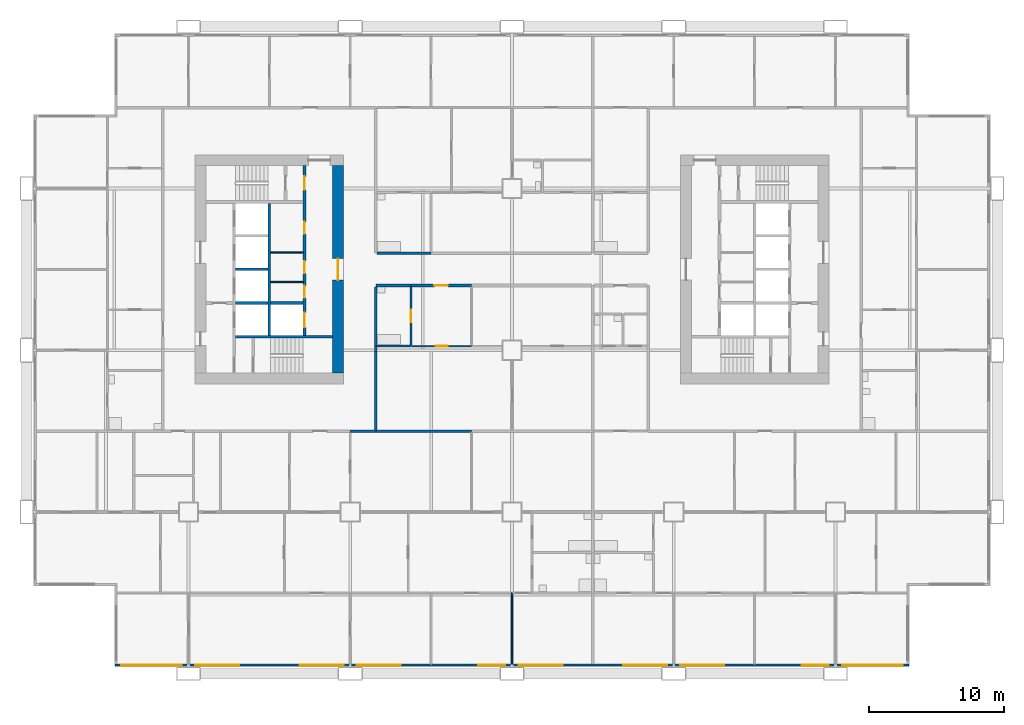
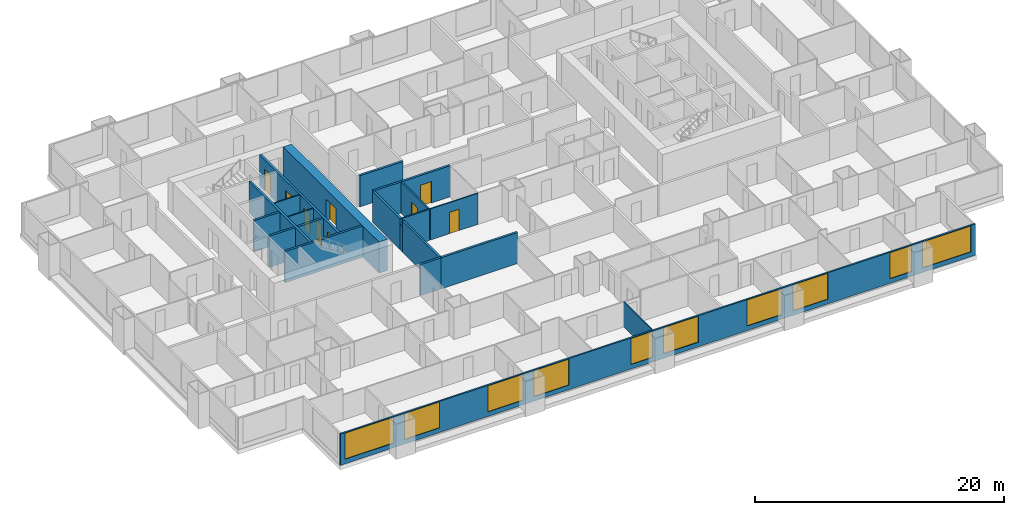
# One storey, part 4 of 13: 22 walls, 10 windows, 9 doors, 19 openings.
"""IFC4 building model written with IfcOpenShell, lengths in metres."""

import ifcopenshell
import ifcopenshell.guid

model = None  # the IFC model being written
_history = None  # IfcOwnerHistory: only IFC2X3 demands one
_inside = {}  # id of a spatial element -> (the spatial element, [elements in it])
_under = {}  # id of a project, library or spatial element -> (it, [spatial elements below it])
_declared = {}  # id of a project -> (the project, [libraries it declares])
_typed = {}  # id of a type object -> (the type object, [elements of that type])
_made_of = {}  # id of a material, layer set ... -> (it, [elements and type objects made of it])


def new_model(schema):
    """Start an empty IFC model of exactly this schema.

    Asked for "IFC4X3", IfcOpenShell would pick the latest addendum, in which some entities
    have other attributes; the version numbers below select the first issue.
    IFC2X3 requires an IfcOwnerHistory on every rooted entity: one is made here for all.
    """
    global model, _history
    if schema == "IFC4X3":
        model = ifcopenshell.file(schema_version=(4, 3, 0, 0))
    else:
        model = ifcopenshell.file(schema=schema)
    _inside.clear()
    _under.clear()
    _declared.clear()
    _typed.clear()
    _made_of.clear()
    _history = None
    if model.schema == "IFC2X3":
        org = make("IfcOrganization", Name="unknown")
        user = make(
            "IfcPersonAndOrganization",
            ThePerson=make("IfcPerson", FamilyName="unknown"),
            TheOrganization=org,
        )
        app = make(
            "IfcApplication",
            ApplicationDeveloper=org,
            Version="unknown",
            ApplicationFullName="unknown",
            ApplicationIdentifier="unknown",
        )
        _history = make(
            "IfcOwnerHistory",
            OwningUser=user,
            OwningApplication=app,
            ChangeAction="ADDED",
            CreationDate=0,
        )
    return model


def make(cls, **values):
    """One entity of the class cls with the attributes given. An attribute that is None is left unset."""
    return model.create_entity(
        cls, **{name: value for name, value in values.items() if value is not None}
    )


def rooted(cls, **values):
    """An entity with a GlobalId (a new one), such as an element, a storey or a relation."""
    return make(cls, GlobalId=ifcopenshell.guid.new(), OwnerHistory=_history, **values)


def si_unit(unit_type, name, prefix=None):
    """IfcSIUnit, for example si_unit("LENGTHUNIT", "METRE", prefix="MILLI")."""
    return make("IfcSIUnit", UnitType=unit_type, Prefix=prefix, Name=name)


def assignment(units):
    """IfcUnitAssignment: the units of a project."""
    return None if units is None else make("IfcUnitAssignment", Units=units)


def point(xyz):
    """IfcCartesianPoint."""
    return None if xyz is None else make("IfcCartesianPoint", Coordinates=xyz)


def direction(xyz):
    """IfcDirection."""
    return None if xyz is None else make("IfcDirection", DirectionRatios=xyz)


def frame(location, z_axis=None, x_axis=None):
    """IfcAxis2Placement3D, a coordinate frame: its origin and axes. An axis left out is left unset."""
    return make(
        "IfcAxis2Placement3D",
        Location=point(location),
        Axis=direction(z_axis),
        RefDirection=direction(x_axis),
    )


def frame_2d(location, x_axis=None):
    """IfcAxis2Placement2D, a coordinate frame in the plane: its origin and x axis."""
    return make(
        "IfcAxis2Placement2D", Location=point(location), RefDirection=direction(x_axis)
    )


def origin():
    """The frame at (0, 0, 0) with its axes left unset."""
    return frame((0.0, 0.0, 0.0))


def place(relative_to, where):
    """IfcLocalPlacement: puts the frame where relative to a parent placement (None: the world)."""
    return make(
        "IfcLocalPlacement", PlacementRelTo=relative_to, RelativePlacement=where
    )


def context(
    kind, dimensions, precision=None, world=None, true_north=None, identifier=None
):
    """IfcGeometricRepresentationContext, for example the 3D "Model" context."""
    return make(
        "IfcGeometricRepresentationContext",
        ContextIdentifier=identifier,
        ContextType=kind,
        CoordinateSpaceDimension=dimensions,
        Precision=precision,
        WorldCoordinateSystem=world,
        TrueNorth=true_north,
    )


def subcontext(parent, identifier, kind, view, scale=None):
    """IfcGeometricRepresentationSubContext, for example "Body" below "Model"."""
    return make(
        "IfcGeometricRepresentationSubContext",
        ContextIdentifier=identifier,
        ContextType=kind,
        ParentContext=parent,
        TargetScale=scale,
        TargetView=view,
    )


def project(units=None, contexts=None):
    """IfcProject with its units and contexts."""
    return rooted(
        "IfcProject",
        Name="project",
        RepresentationContexts=contexts,
        UnitsInContext=assignment(units),
    )


def spatial(cls, under=None, at=None, **own):
    """A site, building, storey or space (cls), placed at a placement, below another one or the project."""
    s = rooted(cls, ObjectPlacement=at, **own)
    if under is not None:
        _under.setdefault(under.id(), (under, []))[1].append(s)
    return s


def profile(cls, at=None, kind="AREA", **sizes):
    """A parametric profile (cls). Its sizes go by their IFC names, for example OverallWidth=200.0."""
    return make(cls, ProfileType=kind, Position=at, **sizes)


def rectangle(**sizes):
    """IfcRectangleProfileDef."""
    return profile("IfcRectangleProfileDef", **sizes)


def extrude(swept, where, along, depth):
    """IfcExtrudedAreaSolid: the profile swept, set in the frame where, extruded along a direction by depth."""
    return make(
        "IfcExtrudedAreaSolid",
        SweptArea=swept,
        Position=where,
        ExtrudedDirection=direction(along),
        Depth=depth,
    )


def shape(context_of_items, identifier, shape_type, items):
    """IfcShapeRepresentation: the items that make up one representation, for example the "Body"."""
    return make(
        "IfcShapeRepresentation",
        ContextOfItems=context_of_items,
        RepresentationIdentifier=identifier,
        RepresentationType=shape_type,
        Items=items,
    )


def material(Name=None, Category=None):
    """IfcMaterial."""
    return make("IfcMaterial", Name=Name, Category=Category)


def layer(
    of_material, thickness, ventilated=None, Name=None, Category=None, Priority=None
):
    """IfcMaterialLayer: one layer of a wall or slab, of a material (None: an air gap)."""
    return make(
        "IfcMaterialLayer",
        Material=of_material,
        LayerThickness=thickness,
        IsVentilated=ventilated,
        Name=Name,
        Category=Category,
        Priority=Priority,
    )


def layer_set(layers, Name=None):
    """IfcMaterialLayerSet."""
    return make("IfcMaterialLayerSet", MaterialLayers=layers, LayerSetName=Name)


def made_of(thing, what):
    """Note that an element or type object is made of a material, layer set ...; save() writes the relation."""
    if what is not None:
        _made_of.setdefault(what.id(), (what, []))[1].append(thing)
    return thing


def type_object(cls, material=None, **own):
    """A type object (cls), such as IfcWallType, which elements share."""
    return made_of(rooted(cls, **own), material)


def element(
    cls,
    number,
    at=None,
    inside=None,
    cuts=None,
    type_object=None,
    material=None,
    context=None,
    identifier="Body",
    shape_type=None,
    held_by="IfcProductDefinitionShape",
    body=None,
    shapes=None,
    **own,
):
    """One element of the class cls, such as IfcWall. Its Tag is "e" and its number.

    at: its placement. inside: the storey or other place that contains it. cuts: it is an
    opening in that element (IfcRelVoidsElement). A single representation is given by context,
    identifier, shape_type and body (its items); several are given by shapes. held_by: the class
    of the entity that holds the representations. save() writes the other relations.
    """
    e = rooted(cls, Tag="e%d" % number, ObjectPlacement=at, **own)
    if body is not None:
        shapes = [shape(context, identifier, shape_type, body)]
    if shapes is not None:
        e.Representation = make(held_by, Representations=shapes)
    if inside is not None:
        _inside.setdefault(inside.id(), (inside, []))[1].append(e)
    if cuts is not None:
        rooted(
            "IfcRelVoidsElement", RelatingBuildingElement=cuts, RelatedOpeningElement=e
        )
    if type_object is not None:
        _typed.setdefault(type_object.id(), (type_object, []))[1].append(e)
    return made_of(e, material)


def fill(opening, filler):
    """IfcRelFillsElement: the door or window that sits in an opening."""
    return rooted(
        "IfcRelFillsElement",
        RelatingOpeningElement=opening,
        RelatedBuildingElement=filler,
    )


def aggregate(whole, parts):
    """IfcRelAggregates: a whole, such as a stair, and the parts it consists of."""
    return rooted("IfcRelAggregates", RelatingObject=whole, RelatedObjects=parts)


def save(model, path):
    """Write the relations noted so far, then the file.

    IfcRelAggregates (storeys below a building ...), IfcRelContainedInSpatialStructure (elements
    in a storey), IfcRelDefinesByType, IfcRelAssociatesMaterial and IfcRelDeclares: one each for
    every whole, place, type object, material and project.
    """
    for whole, parts in _under.values():
        aggregate(whole, parts)
    for where, things in _inside.values():
        rooted(
            "IfcRelContainedInSpatialStructure",
            RelatedElements=things,
            RelatingStructure=where,
        )
    for kind, things in _typed.values():
        rooted("IfcRelDefinesByType", RelatedObjects=things, RelatingType=kind)
    for what, things in _made_of.values():
        rooted("IfcRelAssociatesMaterial", RelatedObjects=things, RelatingMaterial=what)
    for by, libraries in _declared.values():
        rooted("IfcRelDeclares", RelatingContext=by, RelatedDefinitions=libraries)
    model.write(path)


model = new_model("IFC4")

# Units and contexts
model_context = context("Model", 3, precision=1e-05, world=origin(), true_north=direction((0.0, 1.0)))
body_context = subcontext(model_context, "Body", "Model", "MODEL_VIEW")
ifc_project = project(units=[si_unit("LENGTHUNIT", "METRE"), si_unit("AREAUNIT", "SQUARE_METRE"), si_unit("VOLUMEUNIT", "CUBIC_METRE"), si_unit("PLANEANGLEUNIT", "RADIAN"), si_unit("MASSUNIT", "GRAM", prefix="KILO")], contexts=[model_context])

# Site, building, storey
site_placement = place(None, origin())
site = spatial("IfcSite", under=ifc_project, at=site_placement, CompositionType="ELEMENT")
building_placement = place(site_placement, origin())
building = spatial("IfcBuilding", under=site, at=building_placement, Name="Kitamizu Gate Tower and Museum", CompositionType="ELEMENT")
storey_placement = place(building_placement, frame((0.0, 0.0, 57.60009765625)))
storey = spatial("IfcBuildingStorey", under=building, at=storey_placement, Name="L13", CompositionType="ELEMENT", Elevation=57.60009765625)

# Wall, opening, door
ifc_material_1 = material(Name="Concrete Fc60", Category="concrete")
ifc_layer_1 = layer(ifc_material_1, 0.800048828125)
ifc_layer_set_1 = layer_set([ifc_layer_1], Name="Concrete Fc60")
wall_type_1 = type_object("IfcWallType", Name="Core wall 800", PredefinedType="SHEAR", material=ifc_layer_set_1)
wall_1_placement = place(storey_placement, frame((23.10009765625, 22.300048828125, 0.0), z_axis=(0.0, 0.0, 1.0), x_axis=(0.0, 1.0, 0.0)))
wall_1 = element("IfcWall", 1, at=wall_1_placement, inside=storey, type_object=wall_type_1, Name="Core wall WARC", PredefinedType="SHEAR", context=body_context, shape_type="SweptSolid", body=[
    extrude(rectangle(XDim=15.39990234375, YDim=0.800048828125, at=frame_2d((7.699951171875, 0.0))), origin(), (0.0, 0.0, 1.0), 3.0498046875),
])
opening_1_placement = place(wall_1_placement, frame((6.89990234375, 0.0, 0.0)))
opening_1 = element("IfcOpeningElement", 2, at=opening_1_placement, cuts=wall_1, Name="Opening L13-084", PredefinedType="OPENING", context=body_context, shape_type="SweptSolid", body=[
    extrude(rectangle(XDim=1.60009765625, YDim=2.10009765625, at=frame_2d((0.800048828125, 1.050048828125))), frame((0.0, 0.41015625, 0.0), z_axis=(0.0, -1.0, 0.0), x_axis=(1.0, 0.0, 0.0)), (0.0, 0.0, 1.0), 0.820068359375),
])
ifc_material_2 = material(Name="Timber door set", Category="wood")
door_type_1 = type_object("IfcDoorType", Name="Entrance door 1600", OperationType="DOUBLE_DOOR_SINGLE_SWING", PredefinedType="DOOR", material=ifc_material_2)
door_1_placement = place(opening_1_placement, origin())
door_1 = element("IfcDoor", 3, at=door_1_placement, inside=storey, type_object=door_type_1, Name="Lobby door L13-084", OperationType="DOUBLE_DOOR_SINGLE_SWING", OverallHeight=2.10009765625, OverallWidth=1.60009765625, PredefinedType="DOOR", context=body_context, shape_type="SweptSolid", body=[
    extrude(rectangle(XDim=1.60009765625, YDim=2.10009765625, at=frame_2d((0.800048828125, 1.050048828125))), frame((0.0, 0.02490234375, 0.0), z_axis=(0.0, -1.0, 0.0), x_axis=(1.0, 0.0, 0.0)), (0.0, 0.0, 1.0), 0.050048828125),
])
fill(opening_1, door_1)

# Walls
ifc_material_3 = material(Name="Gypsum board on galvanised stud")
ifc_layer_2 = layer(ifc_material_3, 0.10009765625)
ifc_layer_set_2 = layer_set([ifc_layer_2], Name="Gypsum board on galvanised stud")
wall_type_2 = type_object("IfcWallType", Name="Partition 100", PredefinedType="PARTITIONING", material=ifc_layer_set_2)
for number, where, z_axis, x_axis, name in (
    (4, (18.10009765625, 29.06005859375, 0.0), (0.0, 0.0, 1.0), (1.0, 0.0, 0.0), "Partition WPF1"),
    (5, (18.10009765625, 31.25, 0.0), (0.0, 0.0, 1.0), (1.0, 0.0, 0.0), "Partition WPF2"),
):
    element("IfcWall", number, at=place(storey_placement, frame(where, z_axis=z_axis, x_axis=x_axis)), inside=storey, type_object=wall_type_2, Name=name, PredefinedType="PARTITIONING", context=body_context, shape_type="SweptSolid", body=[
        extrude(rectangle(XDim=2.39990234375, YDim=0.10009765625, at=frame_2d((1.199951171875, 0.0))), origin(), (0.0, 0.0, 1.0), 3.0498046875),
    ])
ifc_material_4 = material(Name="Gypsum board on galvanised stud")
ifc_layer_3 = layer(ifc_material_4, 0.10009765625)
ifc_layer_set_3 = layer_set([ifc_layer_3], Name="Gypsum board on galvanised stud")
wall_type_3 = type_object("IfcWallType", Name="Partition 100 NOT RATED", PredefinedType="PARTITIONING", material=ifc_layer_set_3)
wall_2_placement = place(storey_placement, frame((36.0, 0.719970703125, 0.0), z_axis=(0.0, 0.0, 1.0), x_axis=(0.0, 1.0, 0.0)))
element("IfcWall", 6, at=wall_2_placement, inside=storey, type_object=wall_type_3, Name="Partition L13-010", PredefinedType="PARTITIONING", context=body_context, shape_type="SweptSolid", body=[
    extrude(rectangle(XDim=5.280029296875, YDim=0.10009765625, at=frame_2d((2.64013671875, 0.0))), origin(), (0.0, 0.0, 1.0), 2.449951171875),
])

# Wall, opening, door
wall_3_placement = place(storey_placement, frame((33.0, 24.300048828125, 0.0), z_axis=(0.0, 0.0, 1.0), x_axis=(-1.0, 0.0, 0.0)))
wall_3 = element("IfcWall", 7, at=wall_3_placement, inside=storey, type_object=wall_type_3, Name="Partition L13-061", PredefinedType="PARTITIONING", context=body_context, shape_type="SweptSolid", body=[
    extrude(rectangle(XDim=4.425048828125, YDim=0.10009765625, at=frame_2d((2.21240234375, 0.0))), origin(), (0.0, 0.0, 1.0), 3.0498046875),
])
opening_2_placement = place(wall_3_placement, frame((1.762451171875, 0.0, 0.0)))
opening_2 = element("IfcOpeningElement", 8, at=opening_2_placement, cuts=wall_3, Name="Opening L13-022", PredefinedType="OPENING", context=body_context, shape_type="SweptSolid", body=[
    extrude(rectangle(XDim=0.89990234375, YDim=2.10009765625, at=frame_2d((0.449951171875, 1.050048828125))), frame((0.0, 0.06005859375, 0.0), z_axis=(0.0, -1.0, 0.0), x_axis=(1.0, 0.0, 0.0)), (0.0, 0.0, 1.0), 0.1201171875),
])
ifc_material_5 = material(Name="Timber door set", Category="wood")
door_type_2 = type_object("IfcDoorType", Name="Room door 900", OperationType="NOTDEFINED", PredefinedType="DOOR", material=ifc_material_5)
door_2_placement = place(opening_2_placement, origin())
door_2 = element("IfcDoor", 9, at=door_2_placement, inside=storey, type_object=door_type_2, Name="Door L13-022", OperationType="SINGLE_SWING_LEFT", OverallHeight=2.10009765625, OverallWidth=0.89990234375, PredefinedType="DOOR", context=body_context, shape_type="SweptSolid", body=[
    extrude(rectangle(XDim=0.89990234375, YDim=2.10009765625, at=frame_2d((0.449951171875, 1.050048828125))), frame((0.0, 0.02490234375, 0.0), z_axis=(0.0, -1.0, 0.0), x_axis=(1.0, 0.0, 0.0)), (0.0, 0.0, 1.0), 0.050048828125),
])
fill(opening_2, door_2)

# Wall
ifc_material_6 = material(Name="Gypsum board on galvanised stud")
ifc_layer_4 = layer(ifc_material_6, 0.14990234375)
ifc_layer_set_4 = layer_set([ifc_layer_4], Name="Gypsum board on galvanised stud")
wall_type_4 = type_object("IfcWallType", Name="Partition 150", PredefinedType="PARTITIONING", material=ifc_layer_set_4)
wall_4_placement = place(storey_placement, frame((28.5, 24.300048828125, 0.0), z_axis=(0.0, 0.0, 1.0), x_axis=(-1.0, 0.0, 0.0)))
element("IfcWall", 10, at=wall_4_placement, inside=storey, type_object=wall_type_4, Name="Partition L13-060", PredefinedType="PARTITIONING", context=body_context, shape_type="SweptSolid", body=[
    extrude(rectangle(XDim=2.5, YDim=0.14990234375, at=frame_2d((1.25, 0.0))), origin(), (0.0, 0.0, 1.0), 3.0498046875),
])

# Wall, opening, door
wall_5_placement = place(storey_placement, frame((28.5, 24.375, 0.0), z_axis=(0.0, 0.0, 1.0), x_axis=(0.0, 1.0, 0.0)))
wall_5 = element("IfcWall", 11, at=wall_5_placement, inside=storey, type_object=wall_type_4, Name="Partition L13-067", PredefinedType="PARTITIONING", context=body_context, shape_type="SweptSolid", body=[
    extrude(rectangle(XDim=4.324951171875, YDim=0.14990234375, at=frame_2d((2.16259765625, 0.0))), origin(), (0.0, 0.0, 1.0), 3.0498046875),
])
opening_3_placement = place(wall_5_placement, frame((1.71240234375, 0.0, 0.0)))
opening_3 = element("IfcOpeningElement", 12, at=opening_3_placement, cuts=wall_5, Name="Opening L13-024", PredefinedType="OPENING", context=body_context, shape_type="SweptSolid", body=[
    extrude(rectangle(XDim=0.89990234375, YDim=2.10009765625, at=frame_2d((0.449951171875, 1.050048828125))), frame((0.0, 0.0849609375, 0.0), z_axis=(0.0, -1.0, 0.0), x_axis=(1.0, 0.0, 0.0)), (0.0, 0.0, 1.0), 0.169921875),
])
ifc_material_7 = material(Name="Timber door set", Category="wood")
door_type_3 = type_object("IfcDoorType", Name="Bathroom door 900", OperationType="NOTDEFINED", PredefinedType="DOOR", material=ifc_material_7)
door_3_placement = place(opening_3_placement, origin())
door_3 = element("IfcDoor", 13, at=door_3_placement, inside=storey, type_object=door_type_3, Name="Bathroom door L13-024", OperationType="SINGLE_SWING_LEFT", OverallHeight=2.10009765625, OverallWidth=0.89990234375, PredefinedType="DOOR", context=body_context, shape_type="SweptSolid", body=[
    extrude(rectangle(XDim=0.89990234375, YDim=2.10009765625, at=frame_2d((0.449951171875, 1.050048828125))), frame((0.0, 0.02490234375, 0.0), z_axis=(0.0, -1.0, 0.0), x_axis=(1.0, 0.0, 0.0)), (0.0, 0.0, 1.0), 0.050048828125),
])
fill(opening_3, door_3)

# Walls
ifc_material_8 = material(Name="Gypsum board on galvanised stud")
ifc_layer_5 = layer(ifc_material_8, 0.199951171875)
ifc_layer_set_5 = layer_set([ifc_layer_5], Name="Gypsum board on galvanised stud")
wall_type_5 = type_object("IfcWallType", Name="Partition 200", PredefinedType="PARTITIONING", material=ifc_layer_set_5)
wall_6_placement = place(storey_placement, frame((33.0, 18.0, 0.0), z_axis=(0.0, 0.0, 1.0), x_axis=(-1.0, 0.0, 0.0)))
element("IfcWall", 14, at=wall_6_placement, inside=storey, type_object=wall_type_5, Name="Partition L13-054", PredefinedType="PARTITIONING", context=body_context, shape_type="SweptSolid", body=[
    extrude(rectangle(XDim=7.10009765625, YDim=0.199951171875, at=frame_2d((3.550048828125, 0.0))), origin(), (0.0, 0.0, 1.0), 3.0498046875),
])
wall_7_placement = place(storey_placement, frame((25.89990234375, 18.0, 0.0), z_axis=(0.0, 0.0, 1.0), x_axis=(-1.0, 0.0, 0.0)))
element("IfcWall", 15, at=wall_7_placement, inside=storey, type_object=wall_type_5, Name="Partition L13-055", PredefinedType="PARTITIONING", context=body_context, shape_type="SweptSolid", body=[
    extrude(rectangle(XDim=1.89990234375, YDim=0.199951171875, at=frame_2d((0.949951171875, 0.0))), origin(), (0.0, 0.0, 1.0), 3.0498046875),
])
wall_8_placement = place(storey_placement, frame((25.89990234375, 24.300048828125, 0.0), z_axis=(0.0, 0.0, 1.0), x_axis=(0.0, -1.0, 0.0)))
element("IfcWall", 16, at=wall_8_placement, inside=storey, type_object=wall_type_5, Name="Partition L13-063", PredefinedType="PARTITIONING", context=body_context, shape_type="SweptSolid", body=[
    extrude(rectangle(XDim=0.400146484375, YDim=0.199951171875, at=frame_2d((0.2001953125, 0.0))), origin(), (0.0, 0.0, 1.0), 2.449951171875),
])
wall_9_placement = place(storey_placement, frame((25.89990234375, 23.89990234375, 0.0), z_axis=(0.0, 0.0, 1.0), x_axis=(0.0, -1.0, 0.0)))
element("IfcWall", 17, at=wall_9_placement, inside=storey, type_object=wall_type_5, Name="Partition L13-064", PredefinedType="PARTITIONING", context=body_context, shape_type="SweptSolid", body=[
    extrude(rectangle(XDim=5.7998046875, YDim=0.199951171875, at=frame_2d((2.89990234375, 0.0))), origin(), (0.0, 0.0, 1.0), 3.0498046875),
])
wall_10_placement = place(storey_placement, frame((28.5, 28.800048828125, 0.0), z_axis=(0.0, 0.0, 1.0), x_axis=(-1.0, 0.0, 0.0)))
element("IfcWall", 18, at=wall_10_placement, inside=storey, type_object=wall_type_5, Name="Partition L13-068", PredefinedType="PARTITIONING", context=body_context, shape_type="SweptSolid", body=[
    extrude(rectangle(XDim=2.60009765625, YDim=0.199951171875, at=frame_2d((1.300048828125, 0.0))), origin(), (0.0, 0.0, 1.0), 3.0498046875),
])
wall_11_placement = place(storey_placement, frame((25.89990234375, 28.699951171875, 0.0), z_axis=(0.0, 0.0, 1.0), x_axis=(0.0, -1.0, 0.0)))
element("IfcWall", 19, at=wall_11_placement, inside=storey, type_object=wall_type_5, Name="Partition L13-069", PredefinedType="PARTITIONING", context=body_context, shape_type="SweptSolid", body=[
    extrude(rectangle(XDim=4.39990234375, YDim=0.199951171875, at=frame_2d((2.199951171875, 0.0))), origin(), (0.0, 0.0, 1.0), 3.0498046875),
])

# Wall, opening, door
wall_12_placement = place(storey_placement, frame((33.0, 28.800048828125, 0.0), z_axis=(0.0, 0.0, 1.0), x_axis=(-1.0, 0.0, 0.0)))
wall_12 = element("IfcWall", 20, at=wall_12_placement, inside=storey, type_object=wall_type_5, Name="Partition L13-071", PredefinedType="PARTITIONING", context=body_context, shape_type="SweptSolid", body=[
    extrude(rectangle(XDim=4.5, YDim=0.199951171875, at=frame_2d((2.25, 0.0))), origin(), (0.0, 0.0, 1.0), 3.0498046875),
])
opening_4_placement = place(wall_12_placement, frame((1.75, 0.0, 0.0)))
opening_4 = element("IfcOpeningElement", 21, at=opening_4_placement, cuts=wall_12, Name="Opening L13-021", PredefinedType="OPENING", context=body_context, shape_type="SweptSolid", body=[
    extrude(rectangle(XDim=1.0, YDim=2.10009765625, at=frame_2d((0.5, 1.050048828125))), frame((0.0, 0.10986328125, 0.0), z_axis=(0.0, -1.0, 0.0), x_axis=(1.0, 0.0, 0.0)), (0.0, 0.0, 1.0), 0.219970703125),
])
ifc_material_9 = material(Name="Timber door set", Category="wood")
door_type_4 = type_object("IfcDoorType", Name="Flat entrance door 1000", OperationType="NOTDEFINED", PredefinedType="DOOR", material=ifc_material_9)
door_4_placement = place(opening_4_placement, origin())
door_4 = element("IfcDoor", 22, at=door_4_placement, inside=storey, type_object=door_type_4, Name="Flat entrance door L13-021", OperationType="SINGLE_SWING_RIGHT", OverallHeight=2.10009765625, OverallWidth=1.0, PredefinedType="DOOR", context=body_context, shape_type="SweptSolid", body=[
    extrude(rectangle(XDim=1.0, YDim=2.10009765625, at=frame_2d((0.5, 1.050048828125))), frame((0.0, 0.02490234375, 0.0), z_axis=(0.0, -1.0, 0.0), x_axis=(1.0, 0.0, 0.0)), (0.0, 0.0, 1.0), 0.050048828125),
])
fill(opening_4, door_4)

# Wall
wall_13_placement = place(storey_placement, frame((26.0, 31.199951171875, 0.0), z_axis=(0.0, 0.0, 1.0), x_axis=(1.0, 0.0, 0.0)))
element("IfcWall", 23, at=wall_13_placement, inside=storey, type_object=wall_type_5, Name="Partition L13-152", PredefinedType="PARTITIONING", context=body_context, shape_type="SweptSolid", body=[
    extrude(rectangle(XDim=4.0, YDim=0.199951171875, at=frame_2d((2.0, 0.0))), origin(), (0.0, 0.0, 1.0), 3.0498046875),
])

# Wall, openings, doors
ifc_material_10 = material(Name="Concrete Fc42", Category="concrete")
ifc_layer_6 = layer(ifc_material_10, 0.199951171875)
ifc_layer_set_6 = layer_set([ifc_layer_6], Name="Concrete Fc42")
wall_type_6 = type_object("IfcWallType", Name="Shaft wall 200", PredefinedType="SOLIDWALL", material=ifc_layer_set_6)
wall_14_placement = place(storey_placement, frame((20.60009765625, 25.10009765625, 0.0), z_axis=(0.0, 0.0, 1.0), x_axis=(0.0, 1.0, 0.0)))
wall_14 = element("IfcWall", 24, at=wall_14_placement, inside=storey, type_object=wall_type_6, Name="Shaft wall WEAST", PredefinedType="SOLIDWALL", context=body_context, shape_type="SweptSolid", body=[
    extrude(rectangle(XDim=12.599853515625, YDim=0.199951171875, at=frame_2d((6.2998046875, 0.0))), origin(), (0.0, 0.0, 1.0), 3.0498046875),
])
opening_5_placement = place(wall_14_placement, frame((0.60009765625, 0.0, 0.0)))
opening_5 = element("IfcOpeningElement", 25, at=opening_5_placement, cuts=wall_14, Name="Opening LD", PredefinedType="OPENING", context=body_context, shape_type="SweptSolid", body=[
    extrude(rectangle(XDim=1.10009765625, YDim=2.10009765625, at=frame_2d((0.550048828125, 1.050048828125))), frame((0.0, 0.10986328125, 0.0), z_axis=(0.0, -1.0, 0.0), x_axis=(1.0, 0.0, 0.0)), (0.0, 0.0, 1.0), 0.219970703125),
])
opening_6_placement = place(wall_14_placement, frame((10.800048828125, 0.0, 0.0)))
opening_6 = element("IfcOpeningElement", 26, at=opening_6_placement, cuts=wall_14, Name="Opening L13-078", PredefinedType="OPENING", context=body_context, shape_type="SweptSolid", body=[
    extrude(rectangle(XDim=1.0, YDim=2.10009765625, at=frame_2d((0.5, 1.050048828125))), frame((0.0, 0.10986328125, 0.0), z_axis=(0.0, -1.0, 0.0), x_axis=(1.0, 0.0, 0.0)), (0.0, 0.0, 1.0), 0.219970703125),
])
opening_7_placement = place(wall_14_placement, frame((2.780029296875, 0.0, 0.0)))
opening_7 = element("IfcOpeningElement", 27, at=opening_7_placement, cuts=wall_14, Name="Opening L13-085", PredefinedType="OPENING", context=body_context, shape_type="SweptSolid", body=[
    extrude(rectangle(XDim=0.89990234375, YDim=2.10009765625, at=frame_2d((0.449951171875, 1.050048828125))), frame((0.0, 0.10986328125, 0.0), z_axis=(0.0, -1.0, 0.0), x_axis=(1.0, 0.0, 0.0)), (0.0, 0.0, 1.0), 0.219970703125),
])
opening_8_placement = place(wall_14_placement, frame((4.60498046875, 0.0, 0.0)))
opening_8 = element("IfcOpeningElement", 28, at=opening_8_placement, cuts=wall_14, Name="Opening L13-086", PredefinedType="OPENING", context=body_context, shape_type="SweptSolid", body=[
    extrude(rectangle(XDim=0.89990234375, YDim=2.10009765625, at=frame_2d((0.449951171875, 1.050048828125))), frame((0.0, 0.10986328125, 0.0), z_axis=(0.0, -1.0, 0.0), x_axis=(1.0, 0.0, 0.0)), (0.0, 0.0, 1.0), 0.219970703125),
])
opening_9_placement = place(wall_14_placement, frame((7.52490234375, 0.0, 0.0)))
opening_9 = element("IfcOpeningElement", 29, at=opening_9_placement, cuts=wall_14, Name="Opening L13-087", PredefinedType="OPENING", context=body_context, shape_type="SweptSolid", body=[
    extrude(rectangle(XDim=0.89990234375, YDim=2.10009765625, at=frame_2d((0.449951171875, 1.050048828125))), frame((0.0, 0.10986328125, 0.0), z_axis=(0.0, -1.0, 0.0), x_axis=(1.0, 0.0, 0.0)), (0.0, 0.0, 1.0), 0.219970703125),
])
ifc_material_11 = material(Name="Hollow metal door set")
door_type_5 = type_object("IfcDoorType", Name="Fire door 1000", OperationType="NOTDEFINED", PredefinedType="DOOR", material=ifc_material_11)
door_5_placement = place(opening_6_placement, origin())
door_5 = element("IfcDoor", 30, at=door_5_placement, inside=storey, type_object=door_type_5, Name="Stair lobby door L13-078", OperationType="SINGLE_SWING_RIGHT", OverallHeight=2.10009765625, OverallWidth=1.0, PredefinedType="DOOR", context=body_context, shape_type="SweptSolid", body=[
    extrude(rectangle(XDim=1.0, YDim=2.10009765625, at=frame_2d((0.5, 1.050048828125))), frame((0.0, 0.02490234375, 0.0), z_axis=(0.0, -1.0, 0.0), x_axis=(1.0, 0.0, 0.0)), (0.0, 0.0, 1.0), 0.050048828125),
])
fill(opening_6, door_5)
ifc_material_12 = material(Name="Hollow metal door set")
door_type_6 = type_object("IfcDoorType", Name="Landing door 1100", OperationType="SLIDING_TO_LEFT", PredefinedType="DOOR", material=ifc_material_12)
door_6_placement = place(opening_5_placement, origin())
door_6 = element("IfcDoor", 31, at=door_6_placement, inside=storey, type_object=door_type_6, Name="Landing door WSV1", OperationType="SLIDING_TO_LEFT", OverallHeight=2.10009765625, OverallWidth=1.10009765625, PredefinedType="DOOR", context=body_context, shape_type="SweptSolid", body=[
    extrude(rectangle(XDim=1.10009765625, YDim=2.10009765625, at=frame_2d((0.550048828125, 1.050048828125))), frame((0.0, 0.02490234375, 0.0), z_axis=(0.0, -1.0, 0.0), x_axis=(1.0, 0.0, 0.0)), (0.0, 0.0, 1.0), 0.050048828125),
])
fill(opening_5, door_6)
ifc_material_13 = material(Name="Timber door set", Category="wood")
door_type_7 = type_object("IfcDoorType", Name="Service door 900", OperationType="NOTDEFINED", PredefinedType="DOOR", material=ifc_material_13)
door_7_placement = place(opening_7_placement, origin())
door_7 = element("IfcDoor", 32, at=door_7_placement, inside=storey, type_object=door_type_7, Name="Service door L13-085", OperationType="SINGLE_SWING_RIGHT", OverallHeight=2.10009765625, OverallWidth=0.89990234375, PredefinedType="DOOR", context=body_context, shape_type="SweptSolid", body=[
    extrude(rectangle(XDim=0.89990234375, YDim=2.10009765625, at=frame_2d((0.449951171875, 1.050048828125))), frame((0.0, 0.02490234375, 0.0), z_axis=(0.0, -1.0, 0.0), x_axis=(1.0, 0.0, 0.0)), (0.0, 0.0, 1.0), 0.050048828125),
])
fill(opening_7, door_7)
door_8_placement = place(opening_8_placement, origin())
door_8 = element("IfcDoor", 33, at=door_8_placement, inside=storey, type_object=door_type_7, Name="Service door L13-086", OperationType="SINGLE_SWING_LEFT", OverallHeight=2.10009765625, OverallWidth=0.89990234375, PredefinedType="DOOR", context=body_context, shape_type="SweptSolid", body=[
    extrude(rectangle(XDim=0.89990234375, YDim=2.10009765625, at=frame_2d((0.449951171875, 1.050048828125))), frame((0.0, 0.02490234375, 0.0), z_axis=(0.0, -1.0, 0.0), x_axis=(1.0, 0.0, 0.0)), (0.0, 0.0, 1.0), 0.050048828125),
])
fill(opening_8, door_8)
door_9_placement = place(opening_9_placement, origin())
door_9 = element("IfcDoor", 34, at=door_9_placement, inside=storey, type_object=door_type_7, Name="Service door L13-087", OperationType="SINGLE_SWING_RIGHT", OverallHeight=2.10009765625, OverallWidth=0.89990234375, PredefinedType="DOOR", context=body_context, shape_type="SweptSolid", body=[
    extrude(rectangle(XDim=0.89990234375, YDim=2.10009765625, at=frame_2d((0.449951171875, 1.050048828125))), frame((0.0, 0.02490234375, 0.0), z_axis=(0.0, -1.0, 0.0), x_axis=(1.0, 0.0, 0.0)), (0.0, 0.0, 1.0), 0.050048828125),
])
fill(opening_9, door_9)

# Walls
wall_15_placement = place(storey_placement, frame((18.0, 25.10009765625, 0.0), z_axis=(0.0, 0.0, 1.0), x_axis=(0.0, 1.0, 0.0)))
element("IfcWall", 35, at=wall_15_placement, inside=storey, type_object=wall_type_6, Name="Shaft wall WMID", PredefinedType="SOLIDWALL", context=body_context, shape_type="SweptSolid", body=[
    extrude(rectangle(XDim=9.7998046875, YDim=0.199951171875, at=frame_2d((4.89990234375, 0.0))), origin(), (0.0, 0.0, 1.0), 3.0498046875),
])
wall_16_placement = place(storey_placement, frame((15.5, 25.0, 0.0), z_axis=(0.0, 0.0, 1.0), x_axis=(1.0, 0.0, 0.0)))
element("IfcWall", 36, at=wall_16_placement, inside=storey, type_object=wall_type_6, Name="Shaft wall WSB", PredefinedType="SOLIDWALL", context=body_context, shape_type="SweptSolid", body=[
    extrude(rectangle(XDim=7.199951171875, YDim=0.199951171875, at=frame_2d((3.60009765625, 0.0))), origin(), (0.0, 0.0, 1.0), 3.0498046875),
])
for number, where, z_axis, x_axis, name in (
    (37, (15.5, 27.5, 0.0), (0.0, 0.0, 1.0), (1.0, 0.0, 0.0), "Shaft wall WDVW0"),
    (38, (15.5, 30.0, 0.0), (0.0, 0.0, 1.0), (1.0, 0.0, 0.0), "Shaft wall WDVW1"),
    (39, (18.10009765625, 27.5, 0.0), (0.0, 0.0, 1.0), (1.0, 0.0, 0.0), "Shaft wall WDVE0"),
):
    element("IfcWall", number, at=place(storey_placement, frame(where, z_axis=z_axis, x_axis=x_axis)), inside=storey, type_object=wall_type_6, Name=name, PredefinedType="SOLIDWALL", context=body_context, shape_type="SweptSolid", body=[
        extrude(rectangle(XDim=2.39990234375, YDim=0.199951171875, at=frame_2d((1.199951171875, 0.0))), origin(), (0.0, 0.0, 1.0), 3.0498046875),
    ])

# Wall, openings, windows
ifc_material_14 = material(Name="Bronze anodised aluminium frame with insulated spandrel and tinted glass", Category="aluminium")
ifc_layer_7 = layer(ifc_material_14, 0.14990234375)
ifc_layer_set_7 = layer_set([ifc_layer_7], Name="Bronze anodised aluminium frame with insulated spandrel and tinted glass")
wall_type_7 = type_object("IfcWallType", Name="WINDOW WALL 150 BRONZE FRAME EI 30", PredefinedType="ELEMENTEDWALL", material=ifc_layer_set_7)
wall_17_placement = place(storey_placement, frame((6.56005859375, 0.635009765625, 0.0), z_axis=(0.0, 0.0, 1.0), x_axis=(1.0, 0.0, 0.0)))
wall_17 = element("IfcWall", 40, at=wall_17_placement, inside=storey, type_object=wall_type_7, Name="Window wall south L13", PredefinedType="ELEMENTEDWALL", context=body_context, shape_type="SweptSolid", body=[
    extrude(rectangle(XDim=58.8798828125, YDim=0.14990234375, at=frame_2d((29.43994140625, 0.0))), origin(), (0.0, 0.0, 1.0), 3.0498046875),
])
opening_10_placement = place(wall_17_placement, frame((0.43994140625, 0.0, 0.449951171875)))
opening_10 = element("IfcOpeningElement", 41, at=opening_10_placement, cuts=wall_17, Name="Opening W15", PredefinedType="OPENING", context=body_context, shape_type="SweptSolid", body=[
    extrude(rectangle(XDim=4.5, YDim=2.550048828125, at=frame_2d((2.25, 1.27490234375))), frame((0.0, 0.0849609375, 0.0), z_axis=(0.0, -1.0, 0.0), x_axis=(1.0, 0.0, 0.0)), (0.0, 0.0, 1.0), 0.169921875),
])
opening_11_placement = place(wall_17_placement, frame((5.93994140625, 0.0, 0.449951171875)))
opening_11 = element("IfcOpeningElement", 42, at=opening_11_placement, cuts=wall_17, Name="Opening W34", PredefinedType="OPENING", context=body_context, shape_type="SweptSolid", body=[
    extrude(rectangle(XDim=3.25, YDim=2.550048828125, at=frame_2d((1.625, 1.27490234375))), frame((0.0, 0.0849609375, 0.0), z_axis=(0.0, -1.0, 0.0), x_axis=(1.0, 0.0, 0.0)), (0.0, 0.0, 1.0), 0.169921875),
])
opening_12_placement = place(wall_17_placement, frame((13.68994140625, 0.0, 0.449951171875)))
opening_12 = element("IfcOpeningElement", 43, at=opening_12_placement, cuts=wall_17, Name="Opening W34", PredefinedType="OPENING", context=body_context, shape_type="SweptSolid", body=[
    extrude(rectangle(XDim=3.25, YDim=2.550048828125, at=frame_2d((1.625, 1.27490234375))), frame((0.0, 0.0849609375, 0.0), z_axis=(0.0, -1.0, 0.0), x_axis=(1.0, 0.0, 0.0)), (0.0, 0.0, 1.0), 0.169921875),
])
opening_13_placement = place(wall_17_placement, frame((17.93994140625, 0.0, 0.449951171875)))
opening_13 = element("IfcOpeningElement", 44, at=opening_13_placement, cuts=wall_17, Name="Opening W34", PredefinedType="OPENING", context=body_context, shape_type="SweptSolid", body=[
    extrude(rectangle(XDim=3.25, YDim=2.550048828125, at=frame_2d((1.625, 1.27490234375))), frame((0.0, 0.0849609375, 0.0), z_axis=(0.0, -1.0, 0.0), x_axis=(1.0, 0.0, 0.0)), (0.0, 0.0, 1.0), 0.169921875),
])
opening_14_placement = place(wall_17_placement, frame((26.93994140625, 0.0, 0.449951171875)))
opening_14 = element("IfcOpeningElement", 45, at=opening_14_placement, cuts=wall_17, Name="Opening W2", PredefinedType="OPENING", context=body_context, shape_type="SweptSolid", body=[
    extrude(rectangle(XDim=2.0, YDim=2.550048828125, at=frame_2d((1.0, 1.27490234375))), frame((0.0, 0.0849609375, 0.0), z_axis=(0.0, -1.0, 0.0), x_axis=(1.0, 0.0, 0.0)), (0.0, 0.0, 1.0), 0.169921875),
])
opening_15_placement = place(wall_17_placement, frame((29.93994140625, 0.0, 0.449951171875)))
opening_15 = element("IfcOpeningElement", 46, at=opening_15_placement, cuts=wall_17, Name="Opening W34", PredefinedType="OPENING", context=body_context, shape_type="SweptSolid", body=[
    extrude(rectangle(XDim=3.25, YDim=2.550048828125, at=frame_2d((1.625, 1.27490234375))), frame((0.0, 0.0849609375, 0.0), z_axis=(0.0, -1.0, 0.0), x_axis=(1.0, 0.0, 0.0)), (0.0, 0.0, 1.0), 0.169921875),
])
opening_16_placement = place(wall_17_placement, frame((37.68994140625, 0.0, 0.449951171875)))
opening_16 = element("IfcOpeningElement", 47, at=opening_16_placement, cuts=wall_17, Name="Opening W34", PredefinedType="OPENING", context=body_context, shape_type="SweptSolid", body=[
    extrude(rectangle(XDim=3.25, YDim=2.550048828125, at=frame_2d((1.625, 1.27490234375))), frame((0.0, 0.0849609375, 0.0), z_axis=(0.0, -1.0, 0.0), x_axis=(1.0, 0.0, 0.0)), (0.0, 0.0, 1.0), 0.169921875),
])
opening_17_placement = place(wall_17_placement, frame((41.93994140625, 0.0, 0.449951171875)))
opening_17 = element("IfcOpeningElement", 48, at=opening_17_placement, cuts=wall_17, Name="Opening W34", PredefinedType="OPENING", context=body_context, shape_type="SweptSolid", body=[
    extrude(rectangle(XDim=3.25, YDim=2.550048828125, at=frame_2d((1.625, 1.27490234375))), frame((0.0, 0.0849609375, 0.0), z_axis=(0.0, -1.0, 0.0), x_axis=(1.0, 0.0, 0.0)), (0.0, 0.0, 1.0), 0.169921875),
])
opening_18_placement = place(wall_17_placement, frame((50.93994140625, 0.0, 0.449951171875)))
opening_18 = element("IfcOpeningElement", 49, at=opening_18_placement, cuts=wall_17, Name="Opening W2", PredefinedType="OPENING", context=body_context, shape_type="SweptSolid", body=[
    extrude(rectangle(XDim=2.0, YDim=2.550048828125, at=frame_2d((1.0, 1.27490234375))), frame((0.0, 0.0849609375, 0.0), z_axis=(0.0, -1.0, 0.0), x_axis=(1.0, 0.0, 0.0)), (0.0, 0.0, 1.0), 0.169921875),
])
opening_19_placement = place(wall_17_placement, frame((53.93994140625, 0.0, 0.449951171875)))
opening_19 = element("IfcOpeningElement", 50, at=opening_19_placement, cuts=wall_17, Name="Opening W15", PredefinedType="OPENING", context=body_context, shape_type="SweptSolid", body=[
    extrude(rectangle(XDim=4.5, YDim=2.550048828125, at=frame_2d((2.25, 1.27490234375))), frame((0.0, 0.0849609375, 0.0), z_axis=(0.0, -1.0, 0.0), x_axis=(1.0, 0.0, 0.0)), (0.0, 0.0, 1.0), 0.169921875),
])
ifc_material_15 = material(Name="Bronze anodised aluminium frame, tinted triple glazing", Category="aluminium")
window_type_1 = type_object("IfcWindowType", Name="WINDOW 2000 x 2550 SILL 450", PartitioningType="SINGLE_PANEL", PredefinedType="WINDOW", material=ifc_material_15)
window_1_placement = place(opening_14_placement, origin())
window_1 = element("IfcWindow", 51, at=window_1_placement, inside=storey, type_object=window_type_1, Name="Window W2 L13", OverallHeight=2.550048828125, OverallWidth=2.0, PartitioningType="SINGLE_PANEL", PredefinedType="WINDOW", context=body_context, shape_type="SweptSolid", body=[
    extrude(rectangle(XDim=2.0, YDim=2.550048828125, at=frame_2d((1.0, 1.27490234375))), frame((0.0, 0.030029296875, 0.0), z_axis=(0.0, -1.0, 0.0), x_axis=(1.0, 0.0, 0.0)), (0.0, 0.0, 1.0), 0.06005859375),
])
fill(opening_14, window_1)
window_2_placement = place(opening_18_placement, origin())
window_2 = element("IfcWindow", 52, at=window_2_placement, inside=storey, type_object=window_type_1, Name="Window W2 L13", OverallHeight=2.550048828125, OverallWidth=2.0, PartitioningType="SINGLE_PANEL", PredefinedType="WINDOW", context=body_context, shape_type="SweptSolid", body=[
    extrude(rectangle(XDim=2.0, YDim=2.550048828125, at=frame_2d((1.0, 1.27490234375))), frame((0.0, 0.030029296875, 0.0), z_axis=(0.0, -1.0, 0.0), x_axis=(1.0, 0.0, 0.0)), (0.0, 0.0, 1.0), 0.06005859375),
])
fill(opening_18, window_2)
ifc_material_16 = material(Name="Bronze anodised aluminium frame, tinted triple glazing", Category="aluminium")
window_type_2 = type_object("IfcWindowType", Name="WINDOW 3250 x 2550 SILL 450", PartitioningType="SINGLE_PANEL", PredefinedType="WINDOW", material=ifc_material_16)
window_3_placement = place(opening_11_placement, origin())
window_3 = element("IfcWindow", 53, at=window_3_placement, inside=storey, type_object=window_type_2, Name="Window W34 L13", OverallHeight=2.550048828125, OverallWidth=3.25, PartitioningType="SINGLE_PANEL", PredefinedType="WINDOW", context=body_context, shape_type="SweptSolid", body=[
    extrude(rectangle(XDim=3.25, YDim=2.550048828125, at=frame_2d((1.625, 1.27490234375))), frame((0.0, 0.030029296875, 0.0), z_axis=(0.0, -1.0, 0.0), x_axis=(1.0, 0.0, 0.0)), (0.0, 0.0, 1.0), 0.06005859375),
])
fill(opening_11, window_3)
window_4_placement = place(opening_12_placement, origin())
window_4 = element("IfcWindow", 54, at=window_4_placement, inside=storey, type_object=window_type_2, Name="Window W34 L13", OverallHeight=2.550048828125, OverallWidth=3.25, PartitioningType="SINGLE_PANEL", PredefinedType="WINDOW", context=body_context, shape_type="SweptSolid", body=[
    extrude(rectangle(XDim=3.25, YDim=2.550048828125, at=frame_2d((1.625, 1.27490234375))), frame((0.0, 0.030029296875, 0.0), z_axis=(0.0, -1.0, 0.0), x_axis=(1.0, 0.0, 0.0)), (0.0, 0.0, 1.0), 0.06005859375),
])
fill(opening_12, window_4)
window_5_placement = place(opening_13_placement, origin())
window_5 = element("IfcWindow", 55, at=window_5_placement, inside=storey, type_object=window_type_2, Name="Window W34 L13", OverallHeight=2.550048828125, OverallWidth=3.25, PartitioningType="SINGLE_PANEL", PredefinedType="WINDOW", context=body_context, shape_type="SweptSolid", body=[
    extrude(rectangle(XDim=3.25, YDim=2.550048828125, at=frame_2d((1.625, 1.27490234375))), frame((0.0, 0.030029296875, 0.0), z_axis=(0.0, -1.0, 0.0), x_axis=(1.0, 0.0, 0.0)), (0.0, 0.0, 1.0), 0.06005859375),
])
fill(opening_13, window_5)
window_6_placement = place(opening_15_placement, origin())
window_6 = element("IfcWindow", 56, at=window_6_placement, inside=storey, type_object=window_type_2, Name="Window W34 L13", OverallHeight=2.550048828125, OverallWidth=3.25, PartitioningType="SINGLE_PANEL", PredefinedType="WINDOW", context=body_context, shape_type="SweptSolid", body=[
    extrude(rectangle(XDim=3.25, YDim=2.550048828125, at=frame_2d((1.625, 1.27490234375))), frame((0.0, 0.030029296875, 0.0), z_axis=(0.0, -1.0, 0.0), x_axis=(1.0, 0.0, 0.0)), (0.0, 0.0, 1.0), 0.06005859375),
])
fill(opening_15, window_6)
window_7_placement = place(opening_16_placement, origin())
window_7 = element("IfcWindow", 57, at=window_7_placement, inside=storey, type_object=window_type_2, Name="Window W34 L13", OverallHeight=2.550048828125, OverallWidth=3.25, PartitioningType="SINGLE_PANEL", PredefinedType="WINDOW", context=body_context, shape_type="SweptSolid", body=[
    extrude(rectangle(XDim=3.25, YDim=2.550048828125, at=frame_2d((1.625, 1.27490234375))), frame((0.0, 0.030029296875, 0.0), z_axis=(0.0, -1.0, 0.0), x_axis=(1.0, 0.0, 0.0)), (0.0, 0.0, 1.0), 0.06005859375),
])
fill(opening_16, window_7)
window_8_placement = place(opening_17_placement, origin())
window_8 = element("IfcWindow", 58, at=window_8_placement, inside=storey, type_object=window_type_2, Name="Window W34 L13", OverallHeight=2.550048828125, OverallWidth=3.25, PartitioningType="SINGLE_PANEL", PredefinedType="WINDOW", context=body_context, shape_type="SweptSolid", body=[
    extrude(rectangle(XDim=3.25, YDim=2.550048828125, at=frame_2d((1.625, 1.27490234375))), frame((0.0, 0.030029296875, 0.0), z_axis=(0.0, -1.0, 0.0), x_axis=(1.0, 0.0, 0.0)), (0.0, 0.0, 1.0), 0.06005859375),
])
fill(opening_17, window_8)
ifc_material_17 = material(Name="Bronze anodised aluminium frame, tinted triple glazing", Category="aluminium")
window_type_3 = type_object("IfcWindowType", Name="WINDOW 4500 x 2550 SILL 450", PartitioningType="SINGLE_PANEL", PredefinedType="WINDOW", material=ifc_material_17)
window_9_placement = place(opening_10_placement, origin())
window_9 = element("IfcWindow", 59, at=window_9_placement, inside=storey, type_object=window_type_3, Name="Window W15 L13", OverallHeight=2.550048828125, OverallWidth=4.5, PartitioningType="SINGLE_PANEL", PredefinedType="WINDOW", context=body_context, shape_type="SweptSolid", body=[
    extrude(rectangle(XDim=4.5, YDim=2.550048828125, at=frame_2d((2.25, 1.27490234375))), frame((0.0, 0.030029296875, 0.0), z_axis=(0.0, -1.0, 0.0), x_axis=(1.0, 0.0, 0.0)), (0.0, 0.0, 1.0), 0.06005859375),
])
fill(opening_10, window_9)
window_10_placement = place(opening_19_placement, origin())
window_10 = element("IfcWindow", 60, at=window_10_placement, inside=storey, type_object=window_type_3, Name="Window W15 L13", OverallHeight=2.550048828125, OverallWidth=4.5, PartitioningType="SINGLE_PANEL", PredefinedType="WINDOW", context=body_context, shape_type="SweptSolid", body=[
    extrude(rectangle(XDim=4.5, YDim=2.550048828125, at=frame_2d((2.25, 1.27490234375))), frame((0.0, 0.030029296875, 0.0), z_axis=(0.0, -1.0, 0.0), x_axis=(1.0, 0.0, 0.0)), (0.0, 0.0, 1.0), 0.06005859375),
])
fill(opening_19, window_10)

save(model, "model.ifc")
